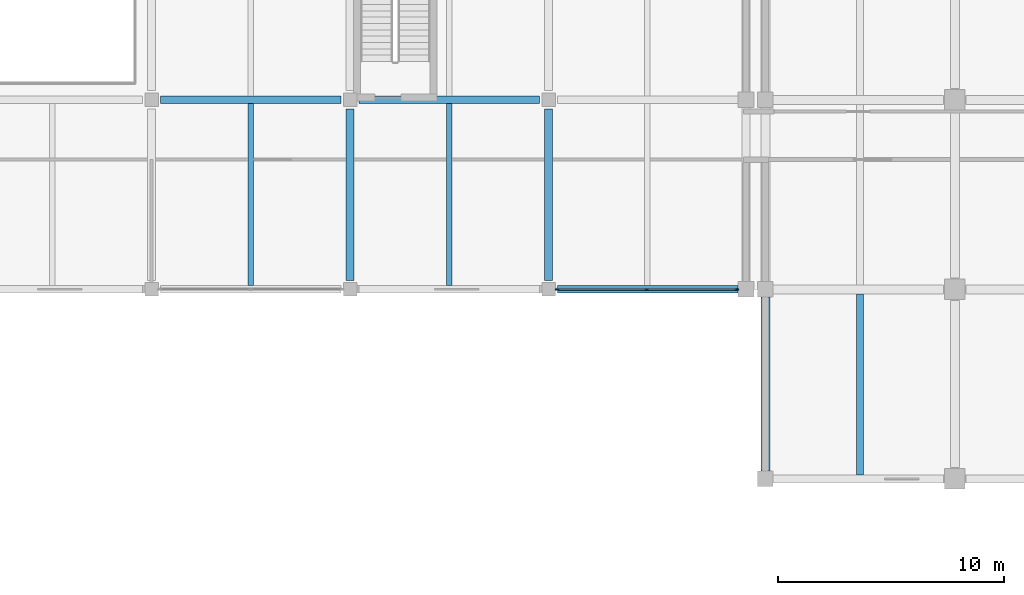
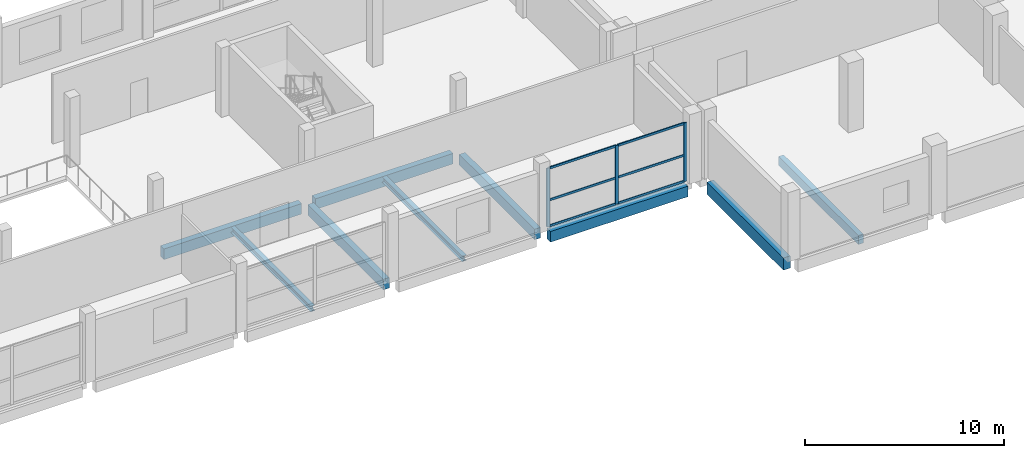
# One storey, part 9 of 38: 9 beams, 9 members, 1 element without a shape of its own.
"""IFC4 building model written with IfcOpenShell, lengths in metres."""

from ifc_helpers import new_model, si_unit, direction, frame, origin, origin_2d, place, context, subcontext, project, spatial, rectangle, i_section, extrude, material, material_profile, profile_set, type_object, element, aggregate, save


model = new_model("IFC4")

# Units and contexts
model_context = context("Model", 3, precision=1e-05, world=origin(), true_north=direction((0.0, 1.0)))
body_context = subcontext(model_context, "Body", "Model", "MODEL_VIEW")
ifc_project = project(units=[si_unit("LENGTHUNIT", "METRE"), si_unit("AREAUNIT", "SQUARE_METRE"), si_unit("VOLUMEUNIT", "CUBIC_METRE"), si_unit("PLANEANGLEUNIT", "RADIAN"), si_unit("MASSUNIT", "GRAM", prefix="KILO")], contexts=[model_context])

# Site, building, storey
site_placement = place(None, origin())
site = spatial("IfcSite", under=ifc_project, at=site_placement, CompositionType="ELEMENT")
building_placement = place(site_placement, origin())
building = spatial("IfcBuilding", under=site, at=building_placement, Name="Brinegate Botanical Conservatory", CompositionType="ELEMENT")
storey_placement = place(building_placement, frame((0.0, 0.0, 10.199951171875)))
storey = spatial("IfcBuildingStorey", under=building, at=storey_placement, Name="L03", CompositionType="ELEMENT", Elevation=10.199951171875)

# Beams
ifc_material_1 = material(Name="Concrete C50/60", Category="concrete")
ifc_material_profile_1 = material_profile(ifc_material_1, rectangle(XDim=0.39990234375, YDim=0.75, at=origin_2d()), Name="RC BM 400x750")
ifc_profile_set_1 = profile_set([ifc_material_profile_1], Name="Concrete C50/60")
beam_type_1 = type_object("IfcBeamType", Name="Beam_BM-T1", PredefinedType="BEAM", material=ifc_profile_set_1)
beam_1_placement = place(storey_placement, frame((122.0, 78.75, -0.594970703125), z_axis=(0.0, 1.0, 0.0), x_axis=(-1.0, 0.0, 0.0)))
element("IfcBeam", 1, at=beam_1_placement, inside=storey, type_object=beam_type_1, Name="Beam BM-T1 L03 16:K-L", PredefinedType="BEAM", context=body_context, shape_type="SweptSolid", body=[
    extrude(rectangle(XDim=0.39990234375, YDim=0.75, at=origin_2d()), origin(), (0.0, 0.0, 1.0), 7.699951171875),
])
ifc_material_2 = material(Name="Concrete C40/50", Category="concrete")
ifc_material_profile_2 = material_profile(ifc_material_2, rectangle(XDim=0.35009765625, YDim=0.64990234375, at=origin_2d()), Name="RC BM 350x650")
ifc_profile_set_2 = profile_set([ifc_material_profile_2], Name="Concrete C40/50")
beam_type_2 = type_object("IfcBeamType", Name="Beam_BM-V3", PredefinedType="BEAM", material=ifc_profile_set_2)
for number, where, z_axis, x_axis, name in (
    (2, (112.800048828125, 86.800048828125, -0.544921875), (1.0, 0.0, 0.0), (0.0, 1.0, 0.0), "Beam BM-V3 L03 L:14-15"),
    (3, (95.199951171875, 95.199951171875, -0.544921875), (1.0, 0.0, 0.0), (0.0, 1.0, 0.0), "Beam BM-V3 L03 M:12-13"),
    (4, (104.0, 95.199951171875, -0.544921875), (1.0, 0.0, 0.0), (0.0, 1.0, 0.0), "Beam BM-V3 L03 M:13-14"),
):
    element("IfcBeam", number, at=place(storey_placement, frame(where, z_axis=z_axis, x_axis=x_axis)), inside=storey, type_object=beam_type_2, Name=name, PredefinedType="BEAM", context=body_context, shape_type="SweptSolid", body=[
        extrude(rectangle(XDim=0.35009765625, YDim=0.64990234375, at=origin_2d()), origin(), (0.0, 0.0, 1.0), 8.0),
    ])
for number, where, z_axis, x_axis, name in (
    (5, (103.60009765625, 87.199951171875, -0.544921875), (0.0, 1.0, 0.0), (-1.0, 0.0, 0.0), "Beam BM-V3 L03 13:L-M"),
    (6, (112.39990234375, 87.199951171875, -0.544921875), (0.0, 1.0, 0.0), (-1.0, 0.0, 0.0), "Beam BM-V3 L03 14:L-M"),
):
    element("IfcBeam", number, at=place(storey_placement, frame(where, z_axis=z_axis, x_axis=x_axis)), inside=storey, type_object=beam_type_2, Name=name, PredefinedType="BEAM", context=body_context, shape_type="SweptSolid", body=[
        extrude(rectangle(XDim=0.35009765625, YDim=0.64990234375, at=origin_2d()), origin(), (0.0, 0.0, 1.0), 7.60009765625),
    ])
ifc_material_profile_3 = material_profile(ifc_material_2, rectangle(XDim=0.300048828125, YDim=0.550048828125, at=origin_2d()), Name="RC JST 300x550")
ifc_profile_set_3 = profile_set([ifc_material_profile_3], Name="Concrete C40/50")
beam_type_3 = type_object("IfcBeamType", Name="Beam_JS-C1", PredefinedType="JOIST", material=ifc_profile_set_3)
beam_2_placement = place(storey_placement, frame((126.199951171875, 78.574951171875, -0.494873046875), z_axis=(0.0, 1.0, 0.0), x_axis=(-1.0, 0.0, 0.0)))
element("IfcBeam", 7, at=beam_2_placement, inside=storey, type_object=beam_type_3, Name="Floor joist JS-C1 L03 bay 16.10", PredefinedType="JOIST", context=body_context, shape_type="SweptSolid", body=[
    extrude(rectangle(XDim=0.300048828125, YDim=0.550048828125, at=origin_2d()), origin(), (0.0, 0.0, 1.0), 8.025146484375),
])
ifc_material_3 = material(Name="Structural steel Q355B / S355", Category="steel")
ifc_material_profile_4 = material_profile(ifc_material_3, i_section(OverallWidth=0.25, OverallDepth=0.340087890625, WebThickness=0.009033203125, FlangeThickness=0.013916015625, at=origin_2d()), Name="HM 340x250x9x14")
ifc_profile_set_4 = profile_set([ifc_material_profile_4], Name="Structural steel Q355B / S355")
beam_type_4 = type_object("IfcBeamType", Name="Beam_JS-S5", PredefinedType="JOIST", material=ifc_profile_set_4)
for number, where, z_axis, x_axis, name in (
    (8, (99.199951171875, 86.97509765625, -0.389892578125), (0.0, 1.0, 0.0), (-1.0, 0.0, 0.0), "Floor joist JS-S5 L03 bay 12.11"),
    (9, (108.0, 86.97509765625, -0.389892578125), (0.0, 1.0, 0.0), (-1.0, 0.0, 0.0), "Floor joist JS-S5 L03 bay 13.11"),
):
    element("IfcBeam", number, at=place(storey_placement, frame(where, z_axis=z_axis, x_axis=x_axis)), inside=storey, type_object=beam_type_4, Name=name, PredefinedType="JOIST", context=body_context, shape_type="SweptSolid", body=[
        extrude(i_section(OverallWidth=0.25, OverallDepth=0.340087890625, WebThickness=0.009033203125, FlangeThickness=0.013916015625, at=origin_2d()), origin(), (0.0, 0.0, 1.0), 8.0498046875),
    ])

# Curtain wall, members
ifc_material_4 = material(Name="Thermally broken anodised aluminium AW-6063-T6", Category="aluminium")
curtain_wall_type = type_object("IfcCurtainWallType", Name="CW_CW-V3", PredefinedType="USERDEFINED", material=ifc_material_4)
curtain_wall_placement = place(storey_placement, origin())
curtain_wall = element("IfcCurtainWall", 10, at=curtain_wall_placement, inside=storey, type_object=curtain_wall_type, Name="Visitor south court curtain wall L03.8", ObjectType="FACTORY CURTAIN WALL", PredefinedType="USERDEFINED")
ifc_material_profile_5 = material_profile(ifc_material_4, rectangle(XDim=0.06494140625, YDim=0.179931640625, at=origin_2d()), Name="ALUM MULLION 65x180")
ifc_profile_set_5 = profile_set([ifc_material_profile_5], Name="Thermally broken anodised aluminium AW-6063-T6")
member_type_1 = type_object("IfcMemberType", Name="Member_ML-02", PredefinedType="MULLION", material=ifc_profile_set_5)
member_1_placement = place(storey_placement, frame((120.7275390625, 86.800048828125, 0.0), z_axis=(0.0, 0.0, 1.0), x_axis=(0.0, -1.0, 0.0)))
member_1 = element("IfcMember", 11, at=member_1_placement, type_object=member_type_1, Name="CW-V3 mullion 1", PredefinedType="MULLION", context=body_context, shape_type="SweptSolid", body=[
    extrude(rectangle(XDim=0.06494140625, YDim=0.179931640625, at=origin_2d()), origin(), (0.0, 0.0, 1.0), 3.610107421875),
])
member_2_placement = place(storey_placement, frame((116.75, 86.800048828125, 0.0), z_axis=(0.0, 0.0, 1.0), x_axis=(0.0, -1.0, 0.0)))
member_2 = element("IfcMember", 12, at=member_2_placement, type_object=member_type_1, Name="CW-V3 mullion 2", PredefinedType="MULLION", context=body_context, shape_type="SweptSolid", body=[
    extrude(rectangle(XDim=0.06494140625, YDim=0.179931640625, at=origin_2d()), origin(), (0.0, 0.0, 1.0), 3.610107421875),
])
member_3_placement = place(storey_placement, frame((112.7724609375, 86.800048828125, 0.0), z_axis=(0.0, 0.0, 1.0), x_axis=(0.0, -1.0, 0.0)))
member_3 = element("IfcMember", 13, at=member_3_placement, type_object=member_type_1, Name="CW-V3 mullion 3", PredefinedType="MULLION", context=body_context, shape_type="SweptSolid", body=[
    extrude(rectangle(XDim=0.06494140625, YDim=0.179931640625, at=origin_2d()), origin(), (0.0, 0.0, 1.0), 3.610107421875),
])
ifc_material_profile_6 = material_profile(ifc_material_4, rectangle(XDim=0.06494140625, YDim=0.135009765625, at=origin_2d()), Name="ALUM TRANSOM 65x135")
ifc_profile_set_6 = profile_set([ifc_material_profile_6], Name="Thermally broken anodised aluminium AW-6063-T6")
member_type_2 = type_object("IfcMemberType", Name="Member_TR-02", PredefinedType="USERDEFINED", material=ifc_profile_set_6)
member_4_placement = place(storey_placement, frame((120.695068359375, 86.800048828125, 0.032470703125), z_axis=(-1.0, 0.0, 0.0), x_axis=(0.0, -1.0, 0.0)))
member_4 = element("IfcMember", 14, at=member_4_placement, type_object=member_type_2, Name="CW-V3 transom 1.1", ObjectType="TRANSOM", PredefinedType="USERDEFINED", context=body_context, shape_type="SweptSolid", body=[
    extrude(rectangle(XDim=0.06494140625, YDim=0.135009765625, at=origin_2d()), origin(), (0.0, 0.0, 1.0), 3.91259765625),
])
member_5_placement = place(storey_placement, frame((120.695068359375, 86.800048828125, 1.625), z_axis=(-1.0, 0.0, 0.0), x_axis=(0.0, -1.0, 0.0)))
member_5 = element("IfcMember", 15, at=member_5_placement, type_object=member_type_2, Name="CW-V3 transom 1.2", ObjectType="TRANSOM", PredefinedType="USERDEFINED", context=body_context, shape_type="SweptSolid", body=[
    extrude(rectangle(XDim=0.06494140625, YDim=0.135009765625, at=origin_2d()), origin(), (0.0, 0.0, 1.0), 3.91259765625),
])
member_6_placement = place(storey_placement, frame((120.695068359375, 86.800048828125, 3.57763671875), z_axis=(-1.0, 0.0, 0.0), x_axis=(0.0, -1.0, 0.0)))
member_6 = element("IfcMember", 16, at=member_6_placement, type_object=member_type_2, Name="CW-V3 transom 1.3", ObjectType="TRANSOM", PredefinedType="USERDEFINED", context=body_context, shape_type="SweptSolid", body=[
    extrude(rectangle(XDim=0.06494140625, YDim=0.135009765625, at=origin_2d()), origin(), (0.0, 0.0, 1.0), 3.91259765625),
])
member_7_placement = place(storey_placement, frame((116.717529296875, 86.800048828125, 0.032470703125), z_axis=(-1.0, 0.0, 0.0), x_axis=(0.0, -1.0, 0.0)))
member_7 = element("IfcMember", 17, at=member_7_placement, type_object=member_type_2, Name="CW-V3 transom 2.1", ObjectType="TRANSOM", PredefinedType="USERDEFINED", context=body_context, shape_type="SweptSolid", body=[
    extrude(rectangle(XDim=0.06494140625, YDim=0.135009765625, at=origin_2d()), origin(), (0.0, 0.0, 1.0), 3.91259765625),
])
member_8_placement = place(storey_placement, frame((116.717529296875, 86.800048828125, 1.625), z_axis=(-1.0, 0.0, 0.0), x_axis=(0.0, -1.0, 0.0)))
member_8 = element("IfcMember", 18, at=member_8_placement, type_object=member_type_2, Name="CW-V3 transom 2.2", ObjectType="TRANSOM", PredefinedType="USERDEFINED", context=body_context, shape_type="SweptSolid", body=[
    extrude(rectangle(XDim=0.06494140625, YDim=0.135009765625, at=origin_2d()), origin(), (0.0, 0.0, 1.0), 3.91259765625),
])
member_9_placement = place(storey_placement, frame((116.717529296875, 86.800048828125, 3.57763671875), z_axis=(-1.0, 0.0, 0.0), x_axis=(0.0, -1.0, 0.0)))
member_9 = element("IfcMember", 19, at=member_9_placement, type_object=member_type_2, Name="CW-V3 transom 2.3", ObjectType="TRANSOM", PredefinedType="USERDEFINED", context=body_context, shape_type="SweptSolid", body=[
    extrude(rectangle(XDim=0.06494140625, YDim=0.135009765625, at=origin_2d()), origin(), (0.0, 0.0, 1.0), 3.91259765625),
])
aggregate(curtain_wall, [member_1, member_2, member_3, member_4, member_5, member_6, member_7, member_8, member_9])

save(model, "model.ifc")
